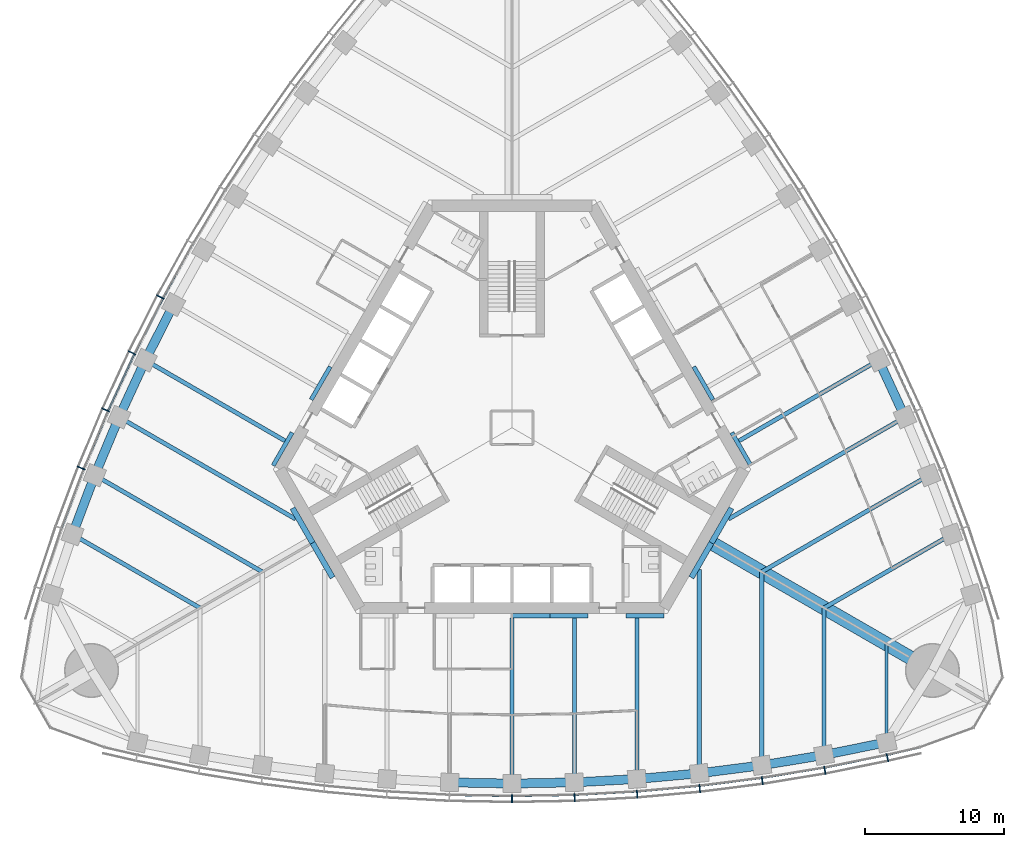
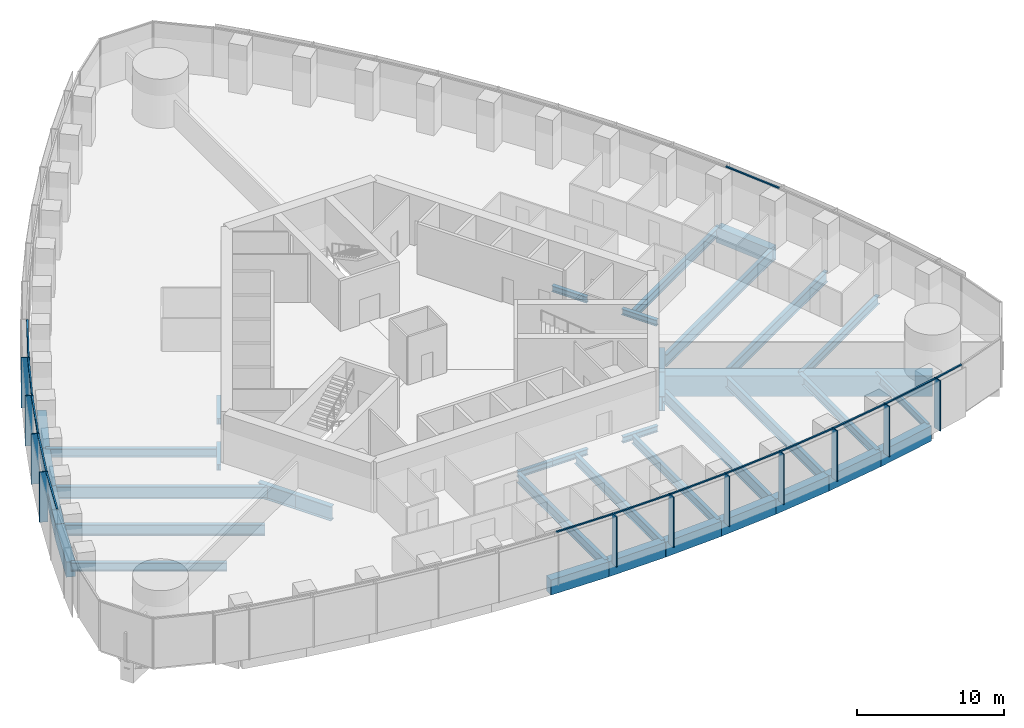
# One storey, part 3 of 19: 39 beams, 25 members, 3 elements without a shape of their own.
"""IFC4 building model written with IfcOpenShell, lengths in metres."""

from ifc_helpers import new_model, si_unit, direction, frame, origin, origin_2d, place, context, subcontext, project, spatial, rectangle, i_section, extrude, material, material_profile, profile_set, type_object, element, aggregate, save


model = new_model("IFC4")

# Units and contexts
model_context = context("Model", 3, precision=1e-05, world=origin(), true_north=direction((0.0, 1.0)))
body_context = subcontext(model_context, "Body", "Model", "MODEL_VIEW")
ifc_project = project(units=[si_unit("LENGTHUNIT", "METRE"), si_unit("AREAUNIT", "SQUARE_METRE"), si_unit("VOLUMEUNIT", "CUBIC_METRE"), si_unit("PLANEANGLEUNIT", "RADIAN"), si_unit("MASSUNIT", "GRAM", prefix="KILO")], contexts=[model_context])

# Site, building, storey
site_placement = place(None, origin())
site = spatial("IfcSite", under=ifc_project, at=site_placement, CompositionType="ELEMENT")
building_placement = place(site_placement, origin())
building = spatial("IfcBuilding", under=site, at=building_placement, Name="Trefoil Bronze Tower", CompositionType="ELEMENT")
storey_placement = place(building_placement, frame((0.0, 0.0, 124.10009765625)))
storey = spatial("IfcBuildingStorey", under=building, at=storey_placement, Name="L28", CompositionType="ELEMENT", Elevation=124.10009765625)

# Curtain wall, members
ifc_material_1 = material(Name="Tinted solar-control glass", Category="glass")
curtain_wall_type = type_object("IfcCurtainWallType", Name="Bronze office curtain wall", PredefinedType="USERDEFINED", material=ifc_material_1)
curtain_wall_1_placement = place(storey_placement, origin())
curtain_wall_1 = element("IfcCurtainWall", 1, at=curtain_wall_1_placement, inside=storey, type_object=curtain_wall_type, Name="CW-A L28 F1", ObjectType="CURTAIN WALL", PredefinedType="USERDEFINED")
ifc_material_2 = material(Name="Bronze-finish aluminium", Category="aluminium")
ifc_material_profile_1 = material_profile(ifc_material_2, rectangle(XDim=0.60009765625, YDim=0.080078125, at=origin_2d()), Name="CW-A mullion")
ifc_profile_set_1 = profile_set([ifc_material_profile_1], Name="Bronze-finish aluminium")
member_type_1 = type_object("IfcMemberType", Name="Bronze office curtain wall mullion", PredefinedType="MULLION", material=ifc_profile_set_1)
member_1_placement = place(storey_placement, frame((0.0, -26.749755859375, 0.0), z_axis=(0.0, 0.0, 1.0), x_axis=(0.0, 1.0, 0.0)))
member_1 = element("IfcMember", 2, at=member_1_placement, type_object=member_type_1, Name="CW-A L28 F1 mullion 8", PredefinedType="MULLION", context=body_context, shape_type="SweptSolid", body=[
    extrude(rectangle(XDim=0.60009765625, YDim=0.080078125, at=origin_2d()), origin(), (0.0, 0.0, 1.0), 4.179931640625),
])
member_2_placement = place(storey_placement, frame((4.5107421875, -26.66845703125, 0.0), z_axis=(0.0, 0.0, 1.0), x_axis=(-0.036047792107, 0.999350067136, 0.0)))
member_2 = element("IfcMember", 3, at=member_2_placement, type_object=member_type_1, Name="CW-A L28 F1 mullion 9", PredefinedType="MULLION", context=body_context, shape_type="SweptSolid", body=[
    extrude(rectangle(XDim=0.60009765625, YDim=0.080078125, at=origin_2d()), origin(), (0.0, 0.0, 1.0), 4.179931640625),
])
member_3_placement = place(storey_placement, frame((9.021728515625, -26.424072265625, 0.0), z_axis=(0.0, 0.0, 1.0), x_axis=(-0.072095676284, 0.997397720802, 0.0)))
member_3 = element("IfcMember", 4, at=member_3_placement, type_object=member_type_1, Name="CW-A L28 F1 mullion 10", PredefinedType="MULLION", context=body_context, shape_type="SweptSolid", body=[
    extrude(rectangle(XDim=0.60009765625, YDim=0.080078125, at=origin_2d()), origin(), (0.0, 0.0, 1.0), 4.179931640625),
])
member_4_placement = place(storey_placement, frame((13.532470703125, -26.01611328125, 0.0), z_axis=(0.0, 0.0, 1.0), x_axis=(-0.108143747013, 0.994135267447, 0.0)))
member_4 = element("IfcMember", 5, at=member_4_placement, type_object=member_type_1, Name="CW-A L28 F1 mullion 11", PredefinedType="MULLION", context=body_context, shape_type="SweptSolid", body=[
    extrude(rectangle(XDim=0.60009765625, YDim=0.080078125, at=origin_2d()), origin(), (0.0, 0.0, 1.0), 4.179931640625),
])
member_5_placement = place(storey_placement, frame((18.043212890625, -25.4423828125, 0.0), z_axis=(0.0, 0.0, 1.0), x_axis=(-0.144192103798, 0.989549714366, 0.0)))
member_5 = element("IfcMember", 6, at=member_5_placement, type_object=member_type_1, Name="CW-A L28 F1 mullion 12", PredefinedType="MULLION", context=body_context, shape_type="SweptSolid", body=[
    extrude(rectangle(XDim=0.60009765625, YDim=0.080078125, at=origin_2d()), origin(), (0.0, 0.0, 1.0), 4.179931640625),
])
member_6_placement = place(storey_placement, frame((22.553955078125, -24.700927734375, 0.0), z_axis=(0.0, 0.0, 1.0), x_axis=(-0.180240853954, 0.98362250613, 0.0)))
member_6 = element("IfcMember", 7, at=member_6_placement, type_object=member_type_1, Name="CW-A L28 F1 mullion 13", PredefinedType="MULLION", context=body_context, shape_type="SweptSolid", body=[
    extrude(rectangle(XDim=0.60009765625, YDim=0.080078125, at=origin_2d()), origin(), (0.0, 0.0, 1.0), 4.179931640625),
])
member_7_placement = place(storey_placement, frame((27.0634765625, -23.7890625, 0.0), z_axis=(0.0, 0.0, 1.0), x_axis=(-0.21197042503, 0.977276081214, 0.0)))
member_7 = element("IfcMember", 8, at=member_7_placement, type_object=member_type_1, Name="CW-A L28 F1 mullion 14", PredefinedType="MULLION", context=body_context, shape_type="SweptSolid", body=[
    extrude(rectangle(XDim=0.60009765625, YDim=0.080078125, at=origin_2d()), origin(), (0.0, 0.0, 1.0), 4.179931640625),
])

curtain_wall_2_placement = place(storey_placement, origin())
curtain_wall_2 = element("IfcCurtainWall", 9, at=curtain_wall_2_placement, inside=storey, type_object=curtain_wall_type, Name="CW-A L28 F3", ObjectType="CURTAIN WALL", PredefinedType="USERDEFINED")
member_8_placement = place(storey_placement, frame((-25.350830078125, 9.427734375, 0.0), z_axis=(0.0, 0.0, 1.0), x_axis=(0.883486441467, -0.468456729853, 0.0)))
member_8 = element("IfcMember", 10, at=member_8_placement, type_object=member_type_1, Name="CW-A L28 F3 mullion 9", PredefinedType="MULLION", context=body_context, shape_type="SweptSolid", body=[
    extrude(rectangle(XDim=0.60009765625, YDim=0.080078125, at=origin_2d()), origin(), (0.0, 0.0, 1.0), 4.179931640625),
])
member_9_placement = place(storey_placement, frame((-27.394775390625, 5.399169921875, 0.0), z_axis=(0.0, 0.0, 1.0), x_axis=(0.899819602033, -0.436262173236, 0.0)))
member_9 = element("IfcMember", 11, at=member_9_placement, type_object=member_type_1, Name="CW-A L28 F3 mullion 10", PredefinedType="MULLION", context=body_context, shape_type="SweptSolid", body=[
    extrude(rectangle(XDim=0.60009765625, YDim=0.080078125, at=origin_2d()), origin(), (0.0, 0.0, 1.0), 4.179931640625),
])
member_10_placement = place(storey_placement, frame((-29.296875, 1.28857421875, 0.0), z_axis=(0.0, 0.0, 1.0), x_axis=(0.915018269914, -0.40341240155, 0.0)))
member_10 = element("IfcMember", 12, at=member_10_placement, type_object=member_type_1, Name="CW-A L28 F3 mullion 11", PredefinedType="MULLION", context=body_context, shape_type="SweptSolid", body=[
    extrude(rectangle(XDim=0.60009765625, YDim=0.080078125, at=origin_2d()), origin(), (0.0, 0.0, 1.0), 4.179931640625),
])
member_11_placement = place(storey_placement, frame((-31.055419921875, -2.90478515625, 0.0), z_axis=(0.0, 0.0, 1.0), x_axis=(0.929071242848, -0.369900832269, 0.0)))
member_11 = element("IfcMember", 13, at=member_11_placement, type_object=member_type_1, Name="CW-A L28 F3 mullion 12", PredefinedType="MULLION", context=body_context, shape_type="SweptSolid", body=[
    extrude(rectangle(XDim=0.60009765625, YDim=0.080078125, at=origin_2d()), origin(), (0.0, 0.0, 1.0), 4.179931640625),
])

# Member
ifc_material_3 = material(Name="Bronze-finish aluminium", Category="aluminium")
ifc_material_profile_2 = material_profile(ifc_material_3, rectangle(XDim=0.1201171875, YDim=0.10009765625, at=origin_2d()), Name="CW-A transom")
ifc_profile_set_2 = profile_set([ifc_material_profile_2], Name="Bronze-finish aluminium")
member_type_2 = type_object("IfcMemberType", Name="Bronze office curtain wall transom", PredefinedType="USERDEFINED", material=ifc_profile_set_2)
member_12_placement = place(storey_placement, frame((-4.4619140625, -26.46923828125, 4.1298828125), z_axis=(0.999837930028, -0.018003157426, 0.0), x_axis=(0.018003157426, 0.999837930028, 0.0)))
member_12 = element("IfcMember", 14, at=member_12_placement, type_object=member_type_2, Name="CW-A L28 F1 transom 7", ObjectType="TRANSOM", PredefinedType="USERDEFINED", context=body_context, shape_type="SweptSolid", body=[
    extrude(rectangle(XDim=0.1201171875, YDim=0.10009765625, at=origin_2d()), origin(), (0.0, 0.0, 1.0), 4.4208984375),
])

member_13_placement = place(storey_placement, frame((0.041748046875, -26.548828125, 4.1298828125), z_axis=(0.999837930028, 0.018003157426, 0.0), x_axis=(-0.018003157426, 0.999837930028, 0.0)))
member_13 = element("IfcMember", 15, at=member_13_placement, type_object=member_type_2, Name="CW-A L28 F1 transom 8", ObjectType="TRANSOM", PredefinedType="USERDEFINED", context=body_context, shape_type="SweptSolid", body=[
    extrude(rectangle(XDim=0.1201171875, YDim=0.10009765625, at=origin_2d()), origin(), (0.0, 0.0, 1.0), 4.4208984375),
])

member_14_placement = place(storey_placement, frame((4.54541015625, -26.46630859375, 4.1298828125), z_axis=(0.998538253569, 0.054049571306, 0.0), x_axis=(-0.054049571306, 0.998538253569, 0.0)))
member_14 = element("IfcMember", 16, at=member_14_placement, type_object=member_type_2, Name="CW-A L28 F1 transom 9", ObjectType="TRANSOM", PredefinedType="USERDEFINED", context=body_context, shape_type="SweptSolid", body=[
    extrude(rectangle(XDim=0.1201171875, YDim=0.10009765625, at=origin_2d()), origin(), (0.0, 0.0, 1.0), 4.4267578125),
])

member_15_placement = place(storey_placement, frame((9.048828125, -26.220947265625, 4.1298828125), z_axis=(0.995932787062, 0.090099298863, 0.0), x_axis=(-0.090099298863, 0.995932787062, 0.0)))
member_15 = element("IfcMember", 17, at=member_15_placement, type_object=member_type_2, Name="CW-A L28 F1 transom 10", ObjectType="TRANSOM", PredefinedType="USERDEFINED", context=body_context, shape_type="SweptSolid", body=[
    extrude(rectangle(XDim=0.1201171875, YDim=0.10009765625, at=origin_2d()), origin(), (0.0, 0.0, 1.0), 4.4384765625),
])

member_16_placement = place(storey_placement, frame((13.55224609375, -25.81201171875, 4.1298828125), z_axis=(0.992008387848, 0.12617193998, 0.0), x_axis=(-0.12617193998, 0.992008387848, 0.0)))
member_16 = element("IfcMember", 18, at=member_16_placement, type_object=member_type_2, Name="CW-A L28 F1 transom 11", ObjectType="TRANSOM", PredefinedType="USERDEFINED", context=body_context, shape_type="SweptSolid", body=[
    extrude(rectangle(XDim=0.1201171875, YDim=0.10009765625, at=origin_2d()), origin(), (0.0, 0.0, 1.0), 4.456298828125),
])

member_17_placement = place(storey_placement, frame((18.0556640625, -25.23779296875, 4.1298828125), z_axis=(0.986755265284, 0.162216048636, 0.0), x_axis=(-0.162216048636, 0.986755265284, 0.0)))
member_17 = element("IfcMember", 19, at=member_17_placement, type_object=member_type_2, Name="CW-A L28 F1 transom 12", ObjectType="TRANSOM", PredefinedType="USERDEFINED", context=body_context, shape_type="SweptSolid", body=[
    extrude(rectangle(XDim=0.1201171875, YDim=0.10009765625, at=origin_2d()), origin(), (0.0, 0.0, 1.0), 4.48046875),
])

member_18_placement = place(storey_placement, frame((22.55908203125, -24.49609375, 4.1298828125), z_axis=(0.980153749225, 0.198238815273, 0.0), x_axis=(-0.198238815273, 0.980153749225, 0.0)))
member_18 = element("IfcMember", 20, at=member_18_placement, type_object=member_type_2, Name="CW-A L28 F1 transom 13", ObjectType="TRANSOM", PredefinedType="USERDEFINED", context=body_context, shape_type="SweptSolid", body=[
    extrude(rectangle(XDim=0.1201171875, YDim=0.10009765625, at=origin_2d()), origin(), (0.0, 0.0, 1.0), 4.51123046875),
])

member_19_placement = place(storey_placement, frame((27.0615234375, -23.584228515625, 4.1298828125), z_axis=(0.974206243495, 0.225659467196, 0.0), x_axis=(-0.225659467196, 0.974206243495, 0.0)))
member_19 = element("IfcMember", 21, at=member_19_placement, type_object=member_type_2, Name="CW-A L28 F1 transom 14", ObjectType="TRANSOM", PredefinedType="USERDEFINED", context=body_context, shape_type="SweptSolid", body=[
    extrude(rectangle(XDim=0.1201171875, YDim=0.10009765625, at=origin_2d()), origin(), (0.0, 0.0, 1.0), 2.340087890625),
])

aggregate(curtain_wall_1, [member_1, member_2, member_3, member_4, member_5, member_6, member_7, member_12, member_13, member_14, member_15, member_16, member_17, member_18, member_19])

# Curtain wall, member
curtain_wall_3_placement = place(storey_placement, origin())
curtain_wall_3 = element("IfcCurtainWall", 22, at=curtain_wall_3_placement, inside=storey, type_object=curtain_wall_type, Name="CW-A L28 F2", ObjectType="CURTAIN WALL", PredefinedType="USERDEFINED")
member_20_placement = place(storey_placement, frame((29.09619140625, 1.245849609375, 4.1298828125), z_axis=(-0.419923072198, 0.907559702409, 0.0), x_axis=(-0.907559702409, -0.419923072198, 0.0)))
member_20 = element("IfcMember", 23, at=member_20_placement, type_object=member_type_2, Name="CW-A L28 F2 transom 5", ObjectType="TRANSOM", PredefinedType="USERDEFINED", context=body_context, shape_type="SweptSolid", body=[
    extrude(rectangle(XDim=0.1201171875, YDim=0.10009765625, at=origin_2d()), origin(), (0.0, 0.0, 1.0), 4.4384765625),
])
aggregate(curtain_wall_3, [member_20])

# Member
member_21_placement = place(storey_placement, frame((-23.012939453125, 13.23828125, 4.1298828125), z_axis=(-0.484329470343, -0.874885686337, 0.0), x_axis=(0.874885686337, -0.484329470343, 0.0)))
member_21 = element("IfcMember", 24, at=member_21_placement, type_object=member_type_2, Name="CW-A L28 F3 transom 8", ObjectType="TRANSOM", PredefinedType="USERDEFINED", context=body_context, shape_type="SweptSolid", body=[
    extrude(rectangle(XDim=0.1201171875, YDim=0.10009765625, at=origin_2d()), origin(), (0.0, 0.0, 1.0), 4.4208984375),
])

member_22_placement = place(storey_placement, frame((-25.193115234375, 9.296630859375, 4.1298828125), z_axis=(-0.452478489814, -0.891775317138, 0.0), x_axis=(0.891775317138, -0.452478489814, 0.0)))
member_22 = element("IfcMember", 25, at=member_22_placement, type_object=member_type_2, Name="CW-A L28 F3 transom 9", ObjectType="TRANSOM", PredefinedType="USERDEFINED", context=body_context, shape_type="SweptSolid", body=[
    extrude(rectangle(XDim=0.1201171875, YDim=0.10009765625, at=origin_2d()), origin(), (0.0, 0.0, 1.0), 4.426513671875),
])

member_23_placement = place(storey_placement, frame((-27.232421875, 5.27392578125, 4.1298828125), z_axis=(-0.419923072198, -0.907559702409, 0.0), x_axis=(0.907559702409, -0.419923072198, 0.0)))
member_23 = element("IfcMember", 26, at=member_23_placement, type_object=member_type_2, Name="CW-A L28 F3 transom 10", ObjectType="TRANSOM", PredefinedType="USERDEFINED", context=body_context, shape_type="SweptSolid", body=[
    extrude(rectangle(XDim=0.1201171875, YDim=0.10009765625, at=origin_2d()), origin(), (0.0, 0.0, 1.0), 4.4384765625),
])

member_24_placement = place(storey_placement, frame((-29.1298828125, 1.16943359375, 4.1298828125), z_axis=(-0.386773266184, -0.922174842731, 0.0), x_axis=(0.922174842731, -0.386773266184, 0.0)))
member_24 = element("IfcMember", 27, at=member_24_placement, type_object=member_type_2, Name="CW-A L28 F3 transom 11", ObjectType="TRANSOM", PredefinedType="USERDEFINED", context=body_context, shape_type="SweptSolid", body=[
    extrude(rectangle(XDim=0.1201171875, YDim=0.10009765625, at=origin_2d()), origin(), (0.0, 0.0, 1.0), 4.45654296875),
])

member_25_placement = place(storey_placement, frame((-30.88427734375, -3.017822265625, 4.1298828125), z_axis=(-0.352932154759, -0.935648916067, 0.0), x_axis=(0.935648916067, -0.352932154759, 0.0)))
member_25 = element("IfcMember", 28, at=member_25_placement, type_object=member_type_2, Name="CW-A L28 F3 transom 12", ObjectType="TRANSOM", PredefinedType="USERDEFINED", context=body_context, shape_type="SweptSolid", body=[
    extrude(rectangle(XDim=0.1201171875, YDim=0.10009765625, at=origin_2d()), origin(), (0.0, 0.0, 1.0), 4.48046875),
])

aggregate(curtain_wall_2, [member_8, member_9, member_10, member_11, member_21, member_22, member_23, member_24, member_25])

# Beams
ifc_material_4 = material(Name="Steel C355", Category="steel")
ifc_material_profile_3 = material_profile(ifc_material_4, i_section(OverallWidth=0.300048828125, OverallDepth=0.5, WebThickness=0.014404296875, FlangeThickness=0.028076171875, FilletRadius=0.027099609375, at=origin_2d()), Name="HEB 500")
ifc_profile_set_3 = profile_set([ifc_material_profile_3], Name="Steel C355")
beam_type_1 = type_object("IfcBeamType", Name="Core seat beam HEB 500", PredefinedType="BEAM", material=ifc_profile_set_3)
for number, where, z_axis, x_axis, name in (
    (29, (0.0, -13.550048828125, -0.4501953125), (1.0, 0.0, 0.0), (0.0, 1.0, 0.0), "Core seat beam F1/+0 L28"),
    (30, (2.742431640625, -13.550048828125, -0.4501953125), (1.0, 0.0, 0.0), (0.0, 1.0, 0.0), "Core seat beam F1/+1 L28"),
    (31, (8.227294921875, -13.550048828125, -0.4501953125), (1.0, 0.0, 0.0), (0.0, 1.0, 0.0), "Core seat beam F1/+2 L28"),
    (32, (17.219482421875, -2.72509765625, -0.4501953125), (-0.500035825175, 0.866004719122, 0.0), (-0.866004719122, -0.500035825175, 0.0), "Core seat beam F2/-2 L28"),
    (33, (14.47705078125, 2.02490234375, -0.4501953125), (-0.499969057507, 0.866043267704, 0.0), (-0.866043267704, -0.499969057507, 0.0), "Core seat beam F2/-1 L28"),
    (34, (-13.10595703125, 4.39990234375, -0.4501953125), (-0.499969057507, -0.866043267704, 0.0), (0.866043267704, -0.499969057507, 0.0), "Core seat beam F3/+1 L28"),
    (35, (-15.84814453125, -0.35009765625, -0.4501953125), (-0.500035825175, -0.866004719122, 0.0), (0.866004719122, -0.500035825175, 0.0), "Core seat beam F3/+2 L28"),
):
    element("IfcBeam", number, at=place(storey_placement, frame(where, z_axis=z_axis, x_axis=x_axis)), inside=storey, type_object=beam_type_1, Name=name, PredefinedType="BEAM", context=body_context, shape_type="SweptSolid", body=[
        extrude(i_section(OverallWidth=0.300048828125, OverallDepth=0.5, WebThickness=0.014404296875, FlangeThickness=0.028076171875, FilletRadius=0.027099609375, at=origin_2d()), origin(), (0.0, 0.0, 1.0), 2.742431640625),
    ])
ifc_material_5 = material(Name="Steel C355", Category="steel")
ifc_material_profile_4 = material_profile(ifc_material_5, i_section(OverallWidth=0.39990234375, OverallDepth=1.199951171875, WebThickness=0.02001953125, FlangeThickness=0.0400390625, FilletRadius=0.010009765625, at=origin_2d()), Name="WPG 1200")
ifc_profile_set_4 = profile_set([ifc_material_profile_4], Name="Steel C355")
beam_type_2 = type_object("IfcBeamType", Name="Core seat beam WPG 1200", PredefinedType="BEAM", material=ifc_profile_set_4)
for number, where, z_axis, x_axis, name in (
    (36, (-14.3759765625, -8.300048828125, -0.800048828125), (0.499995765644, -0.866027848477, 0.0), (0.866027848477, 0.499995765644, 0.0), "Core seat beam F1/-3 L28"),
    (37, (12.9326171875, -10.800048828125, -0.800048828125), (0.499995765644, 0.866027848477, 0.0), (-0.866027848477, 0.499995765644, 0.0), "Core seat beam F1/+3 L28"),
    (38, (14.3759765625, -8.300048828125, -0.800048828125), (0.499995765644, 0.866027848477, 0.0), (-0.866027848477, 0.499995765644, 0.0), "Core seat beam F2/-3 L28"),
    (39, (-15.8193359375, -5.800048828125, -0.800048828125), (0.499995765644, -0.866027848477, 0.0), (0.866027848477, 0.499995765644, 0.0), "Core seat beam F3/+3 L28"),
):
    element("IfcBeam", number, at=place(storey_placement, frame(where, z_axis=z_axis, x_axis=x_axis)), inside=storey, type_object=beam_type_2, Name=name, PredefinedType="BEAM", context=body_context, shape_type="SweptSolid", body=[
        extrude(i_section(OverallWidth=0.39990234375, OverallDepth=1.199951171875, WebThickness=0.02001953125, FlangeThickness=0.0400390625, FilletRadius=0.010009765625, at=origin_2d()), origin(), (0.0, 0.0, 1.0), 2.88671875),
    ])
ifc_material_6 = material(Name="Concrete B80", Category="concrete")
ifc_material_profile_5 = material_profile(ifc_material_6, rectangle(XDim=1.0, YDim=1.699951171875, at=origin_2d()), Name="RC 1000x1700")
ifc_profile_set_5 = profile_set([ifc_material_profile_5], Name="Concrete B80")
beam_type_3 = type_object("IfcBeamType", Name="Corner girder RC 1000x1700", PredefinedType="BEAM", material=ifc_profile_set_5)
beam_1_placement = place(storey_placement, frame((14.202880859375, -8.199951171875, -1.050048828125), z_axis=(0.866022084834, -0.500005748546, 0.0), x_axis=(0.500005748546, 0.866022084834, 0.0)))
element("IfcBeam", 40, at=beam_1_placement, inside=storey, type_object=beam_type_3, Name="Corner girder K1 L28", PredefinedType="BEAM", context=body_context, shape_type="SweptSolid", body=[
    extrude(rectangle(XDim=1.0, YDim=1.699951171875, at=origin_2d()), origin(), (0.0, 0.0, 1.0), 18.599853515625),
])
ifc_material_7 = material(Name="Steel C355", Category="steel")
ifc_material_profile_6 = material_profile(ifc_material_7, i_section(OverallWidth=0.300048828125, OverallDepth=1.0, WebThickness=0.01904296875, FlangeThickness=0.035888671875, FilletRadius=0.030029296875, at=origin_2d()), Name="HEB 1000")
ifc_profile_set_6 = profile_set([ifc_material_profile_6], Name="Steel C355")
beam_type_4 = type_object("IfcBeamType", Name="Floor beam HEB 1000", PredefinedType="BEAM", material=ifc_profile_set_6)
for number, where, z_axis, x_axis, name in (
    (41, (13.5, -24.9130859375, -0.7001953125), (0.0, 1.0, 0.0), (-1.0, 0.0, 0.0), "Floor beam F1/+3 L28"),
    (42, (28.325439453125, 0.76513671875, -0.7001953125), (-0.866027342682, -0.499996641717, 0.0), (0.499996641717, -0.866027342682, 0.0), "Floor beam F2/-3 L28"),
    (43, (-28.325439453125, 0.76513671875, -0.7001953125), (0.866027342682, -0.499996641717, 0.0), (0.499996641717, 0.866027342682, 0.0), "Floor beam F3/+3 L28"),
):
    element("IfcBeam", number, at=place(storey_placement, frame(where, z_axis=z_axis, x_axis=x_axis)), inside=storey, type_object=beam_type_4, Name=name, PredefinedType="BEAM", context=body_context, shape_type="SweptSolid", body=[
        extrude(i_section(OverallWidth=0.300048828125, OverallDepth=1.0, WebThickness=0.01904296875, FlangeThickness=0.035888671875, FilletRadius=0.030029296875, at=origin_2d()), origin(), (0.0, 0.0, 1.0), 14.69580078125),
    ])
ifc_material_8 = material(Name="Steel C355", Category="steel")
ifc_material_profile_7 = material_profile(ifc_material_8, i_section(OverallWidth=0.300048828125, OverallDepth=0.699951171875, WebThickness=0.01708984375, FlangeThickness=0.031982421875, FilletRadius=0.027099609375, at=origin_2d()), Name="HEB 700")
ifc_profile_set_7 = profile_set([ifc_material_profile_7], Name="Steel C355")
beam_type_5 = type_object("IfcBeamType", Name="Floor beam HEB 700", PredefinedType="BEAM", material=ifc_profile_set_7)
beam_2_placement = place(storey_placement, frame((9.0, -25.32275390625, -0.550048828125), z_axis=(0.0, 1.0, 0.0), x_axis=(-1.0, 0.0, 0.0)))
element("IfcBeam", 44, at=beam_2_placement, inside=storey, type_object=beam_type_5, Name="Floor beam F1/+2 L28", PredefinedType="BEAM", context=body_context, shape_type="SweptSolid", body=[
    extrude(i_section(OverallWidth=0.300048828125, OverallDepth=0.699951171875, WebThickness=0.01708984375, FlangeThickness=0.031982421875, FilletRadius=0.027099609375, at=origin_2d()), origin(), (0.0, 0.0, 1.0), 11.622802734375),
])
beam_3_placement = place(storey_placement, frame((22.5, -23.592529296875, -0.550048828125), z_axis=(0.0, 1.0, 0.0), x_axis=(-1.0, 0.0, 0.0)))
element("IfcBeam", 45, at=beam_3_placement, inside=storey, type_object=beam_type_5, Name="Floor beam F1/+5 L28", PredefinedType="BEAM", context=body_context, shape_type="SweptSolid", body=[
    extrude(i_section(OverallWidth=0.300048828125, OverallDepth=0.699951171875, WebThickness=0.01708984375, FlangeThickness=0.031982421875, FilletRadius=0.027099609375, at=origin_2d()), origin(), (0.0, 0.0, 1.0), 10.60205078125),
])
beam_4_placement = place(storey_placement, frame((31.681884765625, -7.689208984375, -0.550048828125), z_axis=(-0.866021079084, -0.500007490527, 0.0), x_axis=(0.500007490527, -0.866021079084, 0.0)))
element("IfcBeam", 46, at=beam_4_placement, inside=storey, type_object=beam_type_5, Name="Floor beam F2/-5 L28", PredefinedType="BEAM", context=body_context, shape_type="SweptSolid", body=[
    extrude(i_section(OverallWidth=0.300048828125, OverallDepth=0.699951171875, WebThickness=0.01708984375, FlangeThickness=0.031982421875, FilletRadius=0.027099609375, at=origin_2d()), origin(), (0.0, 0.0, 1.0), 10.602294921875),
])
for number, where, z_axis, x_axis, name in (
    (47, (26.43017578125, 4.8671875, -0.550048828125), (-0.866021531335, -0.500006707218, 0.0), (0.500006707218, -0.866021531335, 0.0), "Floor beam F2/-2 L28"),
    (48, (-26.43017578125, 4.8671875, -0.550048828125), (0.866021531335, -0.500006707218, 0.0), (0.500006707218, 0.866021531335, 0.0), "Floor beam F3/+2 L28"),
):
    element("IfcBeam", number, at=place(storey_placement, frame(where, z_axis=z_axis, x_axis=x_axis)), inside=storey, type_object=beam_type_5, Name=name, PredefinedType="BEAM", context=body_context, shape_type="SweptSolid", body=[
        extrude(i_section(OverallWidth=0.300048828125, OverallDepth=0.699951171875, WebThickness=0.01708984375, FlangeThickness=0.031982421875, FilletRadius=0.027099609375, at=origin_2d()), origin(), (0.0, 0.0, 1.0), 11.622802734375),
    ])
beam_5_placement = place(storey_placement, frame((-31.681884765625, -7.689208984375, -0.550048828125), z_axis=(0.866021079084, -0.500007490527, 0.0), x_axis=(0.500007490527, 0.866021079084, 0.0)))
element("IfcBeam", 49, at=beam_5_placement, inside=storey, type_object=beam_type_5, Name="Floor beam F3/+5 L28", PredefinedType="BEAM", context=body_context, shape_type="SweptSolid", body=[
    extrude(i_section(OverallWidth=0.300048828125, OverallDepth=0.699951171875, WebThickness=0.01708984375, FlangeThickness=0.031982421875, FilletRadius=0.027099609375, at=origin_2d()), origin(), (0.0, 0.0, 1.0), 10.602294921875),
])
ifc_material_9 = material(Name="Steel C355", Category="steel")
ifc_material_profile_8 = material_profile(ifc_material_9, i_section(OverallWidth=0.300048828125, OverallDepth=0.800048828125, WebThickness=0.017578125, FlangeThickness=0.032958984375, FilletRadius=0.030029296875, at=origin_2d()), Name="HEB 800")
ifc_profile_set_8 = profile_set([ifc_material_profile_8], Name="Steel C355")
beam_type_6 = type_object("IfcBeamType", Name="Floor beam HEB 800", PredefinedType="BEAM", material=ifc_profile_set_8)
beam_6_placement = place(storey_placement, frame((0.0, -25.649658203125, -0.60009765625), z_axis=(0.0, 1.0, 0.0), x_axis=(-1.0, 0.0, 0.0)))
element("IfcBeam", 50, at=beam_6_placement, inside=storey, type_object=beam_type_6, Name="Floor beam F1/+0 L28", PredefinedType="BEAM", context=body_context, shape_type="SweptSolid", body=[
    extrude(i_section(OverallWidth=0.300048828125, OverallDepth=0.800048828125, WebThickness=0.017578125, FlangeThickness=0.032958984375, FilletRadius=0.030029296875, at=origin_2d()), origin(), (0.0, 0.0, 1.0), 11.94970703125),
])
beam_7_placement = place(storey_placement, frame((4.5, -25.568115234375, -0.60009765625), z_axis=(0.0, 1.0, 0.0), x_axis=(-1.0, 0.0, 0.0)))
element("IfcBeam", 51, at=beam_7_placement, inside=storey, type_object=beam_type_6, Name="Floor beam F1/+1 L28", PredefinedType="BEAM", context=body_context, shape_type="SweptSolid", body=[
    extrude(i_section(OverallWidth=0.300048828125, OverallDepth=0.800048828125, WebThickness=0.017578125, FlangeThickness=0.032958984375, FilletRadius=0.030029296875, at=origin_2d()), origin(), (0.0, 0.0, 1.0), 11.8681640625),
])
ifc_material_10 = material(Name="Steel C355", Category="steel")
ifc_material_profile_9 = material_profile(ifc_material_10, i_section(OverallWidth=0.300048828125, OverallDepth=0.89990234375, WebThickness=0.0185546875, FlangeThickness=0.034912109375, FilletRadius=0.030029296875, at=origin_2d()), Name="HEB 900")
ifc_profile_set_9 = profile_set([ifc_material_profile_9], Name="Steel C355")
beam_type_7 = type_object("IfcBeamType", Name="Floor beam HEB 900", PredefinedType="BEAM", material=ifc_profile_set_9)
for number, where, z_axis, x_axis, name in (
    (52, (18.0, -24.337158203125, -0.650146484375), (0.0, 1.0, 0.0), (-1.0, 0.0, 0.0), "Floor beam F1/+4 L28"),
    (53, (30.07666015625, -3.419921875, -0.650146484375), (-0.866026983775, -0.499997263366, 0.0), (0.499997263366, -0.866026983775, 0.0), "Floor beam F2/-4 L28"),
    (54, (-30.07666015625, -3.419921875, -0.650146484375), (0.866026983775, -0.499997263366, 0.0), (0.499997263366, 0.866026983775, 0.0), "Floor beam F3/+4 L28"),
):
    element("IfcBeam", number, at=place(storey_placement, frame(where, z_axis=z_axis, x_axis=x_axis)), inside=storey, type_object=beam_type_7, Name=name, PredefinedType="BEAM", context=body_context, shape_type="SweptSolid", body=[
        extrude(i_section(OverallWidth=0.300048828125, OverallDepth=0.89990234375, WebThickness=0.0185546875, FlangeThickness=0.034912109375, FilletRadius=0.030029296875, at=origin_2d()), origin(), (0.0, 0.0, 1.0), 13.94482421875),
    ])
ifc_material_11 = material(Name="Steel C355", Category="steel")
ifc_material_profile_10 = material_profile(ifc_material_11, i_section(OverallWidth=0.219970703125, OverallDepth=0.60009765625, WebThickness=0.011962890625, FlangeThickness=0.01904296875, FilletRadius=0.02392578125, at=origin_2d()), Name="IPE 600")
ifc_profile_set_10 = profile_set([ifc_material_profile_10], Name="Steel C355")
beam_type_8 = type_object("IfcBeamType", Name="Floor beam IPE 600", PredefinedType="BEAM", material=ifc_profile_set_10)
beam_8_placement = place(storey_placement, frame((27.0, -22.67724609375, -0.5), z_axis=(0.0, 1.0, 0.0), x_axis=(-1.0, 0.0, 0.0)))
element("IfcBeam", 55, at=beam_8_placement, inside=storey, type_object=beam_type_8, Name="Floor beam F1/+6 L28", PredefinedType="BEAM", context=body_context, shape_type="SweptSolid", body=[
    extrude(i_section(OverallWidth=0.219970703125, OverallDepth=0.60009765625, WebThickness=0.011962890625, FlangeThickness=0.01904296875, FilletRadius=0.02392578125, at=origin_2d()), origin(), (0.0, 0.0, 1.0), 7.0888671875),
])
ifc_material_12 = material(Name="Concrete B80", Category="concrete")
ifc_material_profile_11 = material_profile(ifc_material_12, rectangle(XDim=0.64990234375, YDim=1.25, at=origin_2d()), Name="RC 650x1250")
ifc_profile_set_11 = profile_set([ifc_material_profile_11], Name="Concrete B80")
beam_type_9 = type_object("IfcBeamType", Name="Spandrel beam RC 650x1250", PredefinedType="SPANDREL", material=ifc_profile_set_11)
for number, where, z_axis, x_axis, name in (
    (56, (-4.5, -25.568115234375, -0.8251953125), (0.999835861267, -0.01811768542, 0.0), (0.01811768542, 0.999835861267, 0.0), "Spandrel F1.7 L28"),
    (57, (0.0, -25.649658203125, -0.8251953125), (0.999835861267, 0.01811768542, 0.0), (-0.01811768542, 0.999835861267, 0.0), "Spandrel F1.8 L28"),
):
    element("IfcBeam", number, at=place(storey_placement, frame(where, z_axis=z_axis, x_axis=x_axis)), inside=storey, type_object=beam_type_9, Name=name, PredefinedType="SPANDREL", context=body_context, shape_type="SweptSolid", body=[
        extrude(rectangle(XDim=0.64990234375, YDim=1.25, at=origin_2d()), origin(), (0.0, 0.0, 1.0), 4.500732421875),
    ])
beam_9_placement = place(storey_placement, frame((4.5, -25.568115234375, -0.8251953125), z_axis=(0.998516832602, 0.054443870267, 0.0), x_axis=(-0.054443870267, 0.998516832602, 0.0)))
element("IfcBeam", 58, at=beam_9_placement, inside=storey, type_object=beam_type_9, Name="Spandrel F1.9 L28", PredefinedType="SPANDREL", context=body_context, shape_type="SweptSolid", body=[
    extrude(rectangle(XDim=0.64990234375, YDim=1.25, at=origin_2d()), origin(), (0.0, 0.0, 1.0), 4.506591796875),
])
beam_10_placement = place(storey_placement, frame((9.0, -25.32275390625, -0.8251953125), z_axis=(0.995881683815, 0.090662405894, 0.0), x_axis=(-0.090662405894, 0.995881683815, 0.0)))
element("IfcBeam", 59, at=beam_10_placement, inside=storey, type_object=beam_type_9, Name="Spandrel F1.10 L28", PredefinedType="SPANDREL", context=body_context, shape_type="SweptSolid", body=[
    extrude(rectangle(XDim=0.64990234375, YDim=1.25, at=origin_2d()), origin(), (0.0, 0.0, 1.0), 4.5185546875),
])
beam_11_placement = place(storey_placement, frame((13.5, -24.9130859375, -0.8251953125), z_axis=(0.991909314257, 0.126948463126, 0.0), x_axis=(-0.126948463126, 0.991909314257, 0.0)))
element("IfcBeam", 60, at=beam_11_placement, inside=storey, type_object=beam_type_9, Name="Spandrel F1.11 L28", PredefinedType="SPANDREL", context=body_context, shape_type="SweptSolid", body=[
    extrude(rectangle(XDim=0.64990234375, YDim=1.25, at=origin_2d()), origin(), (0.0, 0.0, 1.0), 4.53662109375),
])
beam_12_placement = place(storey_placement, frame((18.0, -24.337158203125, -0.8251953125), z_axis=(0.986584214684, 0.163253138823, 0.0), x_axis=(-0.163253138823, 0.986584214684, 0.0)))
element("IfcBeam", 61, at=beam_12_placement, inside=storey, type_object=beam_type_9, Name="Spandrel F1.12 L28", PredefinedType="SPANDREL", context=body_context, shape_type="SweptSolid", body=[
    extrude(rectangle(XDim=0.64990234375, YDim=1.25, at=origin_2d()), origin(), (0.0, 0.0, 1.0), 4.561279296875),
])
beam_13_placement = place(storey_placement, frame((22.5, -23.592529296875, -0.8251953125), z_axis=(0.979935430296, 0.199315208777, 0.0), x_axis=(-0.199315208777, 0.979935430296, 0.0)))
element("IfcBeam", 62, at=beam_13_placement, inside=storey, type_object=beam_type_9, Name="Spandrel F1.13 L28", PredefinedType="SPANDREL", context=body_context, shape_type="SweptSolid", body=[
    extrude(rectangle(XDim=0.64990234375, YDim=1.25, at=origin_2d()), origin(), (0.0, 0.0, 1.0), 4.592041015625),
])
beam_14_placement = place(storey_placement, frame((28.325439453125, 0.76513671875, -0.8251953125), z_axis=(-0.419424747755, 0.907790108434, 0.0), x_axis=(-0.907790108434, -0.419424747755, 0.0)))
element("IfcBeam", 63, at=beam_14_placement, inside=storey, type_object=beam_type_9, Name="Spandrel F2.5 L28", PredefinedType="SPANDREL", context=body_context, shape_type="SweptSolid", body=[
    extrude(rectangle(XDim=0.64990234375, YDim=1.25, at=origin_2d()), origin(), (0.0, 0.0, 1.0), 4.518798828125),
])
beam_15_placement = place(storey_placement, frame((-24.392578125, 8.886962890625, -0.8251953125), z_axis=(-0.452125717735, -0.891954222683, 0.0), x_axis=(0.891954222683, -0.452125717735, 0.0)))
element("IfcBeam", 64, at=beam_15_placement, inside=storey, type_object=beam_type_9, Name="Spandrel F3.9 L28", PredefinedType="SPANDREL", context=body_context, shape_type="SweptSolid", body=[
    extrude(rectangle(XDim=0.64990234375, YDim=1.25, at=origin_2d()), origin(), (0.0, 0.0, 1.0), 4.506591796875),
])
beam_16_placement = place(storey_placement, frame((-26.43017578125, 4.8671875, -0.8251953125), z_axis=(-0.419424747755, -0.907790108434, 0.0), x_axis=(0.907790108434, -0.419424747755, 0.0)))
element("IfcBeam", 65, at=beam_16_placement, inside=storey, type_object=beam_type_9, Name="Spandrel F3.10 L28", PredefinedType="SPANDREL", context=body_context, shape_type="SweptSolid", body=[
    extrude(rectangle(XDim=0.64990234375, YDim=1.25, at=origin_2d()), origin(), (0.0, 0.0, 1.0), 4.518798828125),
])
beam_17_placement = place(storey_placement, frame((-28.325439453125, 0.76513671875, -0.8251953125), z_axis=(-0.386013490858, -0.922493135408, 0.0), x_axis=(0.922493135408, -0.386013490858, 0.0)))
element("IfcBeam", 66, at=beam_17_placement, inside=storey, type_object=beam_type_9, Name="Spandrel F3.11 L28", PredefinedType="SPANDREL", context=body_context, shape_type="SweptSolid", body=[
    extrude(rectangle(XDim=0.64990234375, YDim=1.25, at=origin_2d()), origin(), (0.0, 0.0, 1.0), 4.53662109375),
])
beam_18_placement = place(storey_placement, frame((-30.07666015625, -3.419921875, -0.8251953125), z_axis=(-0.351938675523, -0.936023059904, 0.0), x_axis=(0.936023059904, -0.351938675523, 0.0)))
element("IfcBeam", 67, at=beam_18_placement, inside=storey, type_object=beam_type_9, Name="Spandrel F3.12 L28", PredefinedType="SPANDREL", context=body_context, shape_type="SweptSolid", body=[
    extrude(rectangle(XDim=0.64990234375, YDim=1.25, at=origin_2d()), origin(), (0.0, 0.0, 1.0), 4.56103515625),
])

save(model, "model.ifc")
